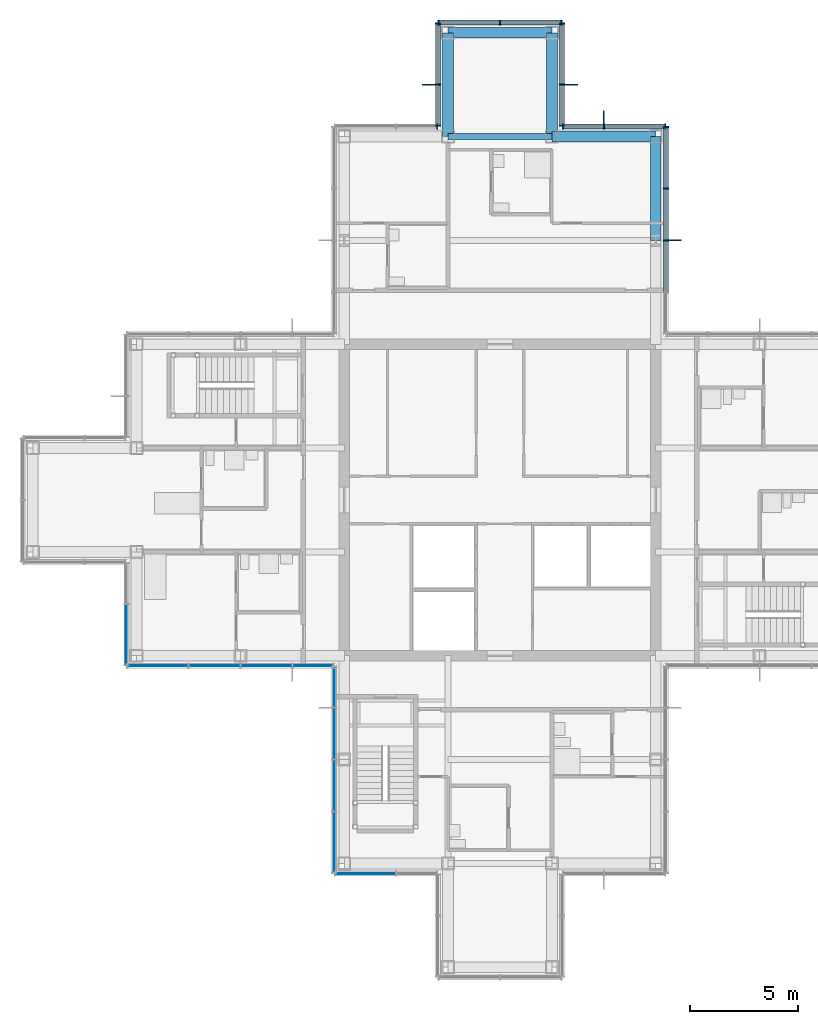
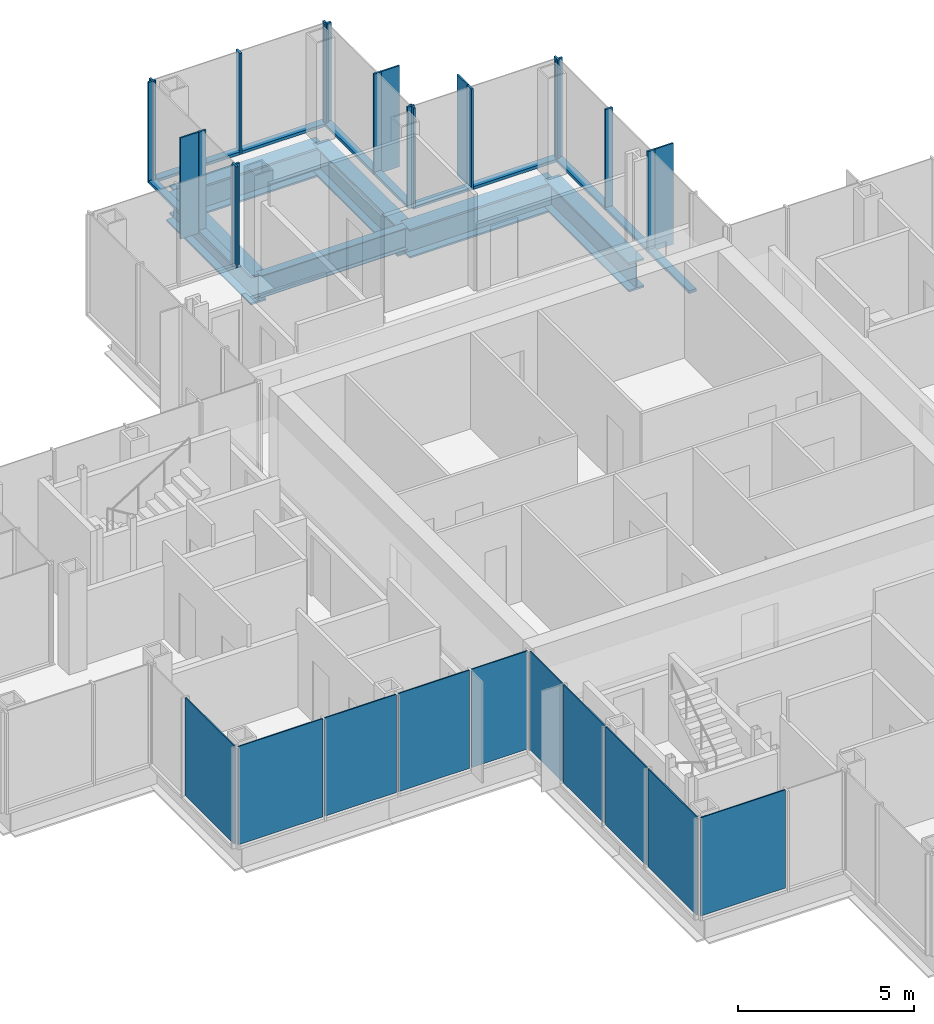
# One storey, part 9 of 17: 31 members, 10 plates, 6 beams, 10 elements without a shape of their own.
"""IFC4 building model written with IfcOpenShell, lengths in metres."""

from ifc_helpers import new_model, si_unit, direction, frame, origin, origin_2d, place, context, subcontext, project, spatial, rectangle, i_section, extrude, material, layer, layer_set, material_profile, profile_set, type_object, element, aggregate, save


model = new_model("IFC4")

# Units and contexts
model_context = context("Model", 3, precision=1e-05, world=origin(), true_north=direction((0.0, 1.0)))
body_context = subcontext(model_context, "Body", "Model", "MODEL_VIEW")
ifc_project = project(units=[si_unit("LENGTHUNIT", "METRE"), si_unit("AREAUNIT", "SQUARE_METRE"), si_unit("VOLUMEUNIT", "CUBIC_METRE"), si_unit("PLANEANGLEUNIT", "RADIAN"), si_unit("MASSUNIT", "GRAM", prefix="KILO")], contexts=[model_context])

# Site, building, storey
site_placement = place(None, origin())
site = spatial("IfcSite", under=ifc_project, at=site_placement, CompositionType="ELEMENT")
building_placement = place(site_placement, origin())
building = spatial("IfcBuilding", under=site, at=building_placement, Name="Kvirike Care Tower", CompositionType="ELEMENT")
storey_placement = place(building_placement, frame((0.0, 0.0, 169.0)))
storey = spatial("IfcBuildingStorey", under=building, at=storey_placement, Name="L46", CompositionType="ELEMENT", Elevation=169.0)

# Curtain wall, member
ifc_material_1 = material(Name="Anodised aluminium stick system", Category="aluminium")
curtain_wall_type = type_object("IfcCurtainWallType", Name="CW-C STICK CURTAIN WALL", PredefinedType="NOTDEFINED", material=ifc_material_1)
curtain_wall_1_placement = place(storey_placement, origin())
curtain_wall_1 = element("IfcCurtainWall", 1, at=curtain_wall_1_placement, inside=storey, type_object=curtain_wall_type, Name="Curtain wall L46 face 8", PredefinedType="NOTDEFINED")
ifc_material_2 = material(Name="Bronze anodised aluminium fin", Category="aluminium")
ifc_material_profile_1 = material_profile(ifc_material_2, rectangle(XDim=0.050048828125, YDim=0.60009765625, at=origin_2d()), Name="BRONZE FIN 600")
ifc_profile_set_1 = profile_set([ifc_material_profile_1], Name="Bronze anodised aluminium fin")
member_type_1 = type_object("IfcMemberType", Name="BRONZE FIN 600", PredefinedType="USERDEFINED", material=ifc_profile_set_1)
member_1_placement = place(storey_placement, frame((29.68994140625, 48.0, 0.0), z_axis=(0.0, 0.0, 1.0), x_axis=(0.0, 1.0, 0.0)))
member_1 = element("IfcMember", 2, at=member_1_placement, type_object=member_type_1, Name="Bronze fin L46 face 8.3", ObjectType="FIN", PredefinedType="USERDEFINED", context=body_context, shape_type="SweptSolid", body=[
    extrude(rectangle(XDim=0.050048828125, YDim=0.60009765625, at=origin_2d()), origin(), (0.0, 0.0, 1.0), 3.5),
])

curtain_wall_2_placement = place(storey_placement, origin())
curtain_wall_2 = element("IfcCurtainWall", 3, at=curtain_wall_2_placement, inside=storey, type_object=curtain_wall_type, Name="Curtain wall L46 face 9", PredefinedType="NOTDEFINED")
member_2_placement = place(storey_placement, frame((26.39990234375, 53.68994140625, 0.0), z_axis=(0.0, 0.0, 1.0), x_axis=(-1.0, 0.0, 0.0)))
member_2 = element("IfcMember", 4, at=member_2_placement, type_object=member_type_1, Name="Bronze fin L46 face 9.2", ObjectType="FIN", PredefinedType="USERDEFINED", context=body_context, shape_type="SweptSolid", body=[
    extrude(rectangle(XDim=0.050048828125, YDim=0.60009765625, at=origin_2d()), origin(), (0.0, 0.0, 1.0), 3.5),
])

curtain_wall_3_placement = place(storey_placement, origin())
curtain_wall_3 = element("IfcCurtainWall", 5, at=curtain_wall_3_placement, inside=storey, type_object=curtain_wall_type, Name="Curtain wall L46 face 10", PredefinedType="NOTDEFINED")
member_3_placement = place(storey_placement, frame((24.889892578125, 55.199951171875, 0.0), z_axis=(0.0, 0.0, 1.0), x_axis=(0.0, 1.0, 0.0)))
member_3 = element("IfcMember", 6, at=member_3_placement, type_object=member_type_1, Name="Bronze fin L46 face 10.2", ObjectType="FIN", PredefinedType="USERDEFINED", context=body_context, shape_type="SweptSolid", body=[
    extrude(rectangle(XDim=0.050048828125, YDim=0.60009765625, at=origin_2d()), origin(), (0.0, 0.0, 1.0), 3.5),
])

curtain_wall_4_placement = place(storey_placement, origin())
curtain_wall_4 = element("IfcCurtainWall", 7, at=curtain_wall_4_placement, inside=storey, type_object=curtain_wall_type, Name="Curtain wall L46 face 12", PredefinedType="NOTDEFINED")
member_4_placement = place(storey_placement, frame((18.31005859375, 55.199951171875, 0.0), z_axis=(0.0, 0.0, 1.0), x_axis=(0.0, -1.0, 0.0)))
member_4 = element("IfcMember", 8, at=member_4_placement, type_object=member_type_1, Name="Bronze fin L46 face 12.2", ObjectType="FIN", PredefinedType="USERDEFINED", context=body_context, shape_type="SweptSolid", body=[
    extrude(rectangle(XDim=0.050048828125, YDim=0.60009765625, at=origin_2d()), origin(), (0.0, 0.0, 1.0), 3.5),
])

# Member
ifc_material_3 = material(Name="Bronze anodised aluminium mullion", Category="aluminium")
ifc_material_profile_2 = material_profile(ifc_material_3, rectangle(XDim=0.06494140625, YDim=0.239990234375, at=origin_2d()), Name="CW-C MULLION 65x240")
ifc_profile_set_2 = profile_set([ifc_material_profile_2], Name="Bronze anodised aluminium mullion")
member_type_2 = type_object("IfcMemberType", Name="CW-C MULLION 65x240", PredefinedType="MULLION", material=ifc_profile_set_2)
member_5_placement = place(storey_placement, frame((29.27001953125, 48.0, 0.0), z_axis=(0.0, 0.0, 1.0), x_axis=(0.0, 1.0, 0.0)))
member_5 = element("IfcMember", 9, at=member_5_placement, type_object=member_type_2, Name="CW-C mullion L46 face 8.3", PredefinedType="MULLION", context=body_context, shape_type="SweptSolid", body=[
    extrude(rectangle(XDim=0.06494140625, YDim=0.239990234375, at=origin_2d()), origin(), (0.0, 0.0, 1.0), 3.5),
])

member_6_placement = place(storey_placement, frame((29.27001953125, 50.39990234375, 0.0), z_axis=(0.0, 0.0, 1.0), x_axis=(0.0, 1.0, 0.0)))
member_6 = element("IfcMember", 10, at=member_6_placement, type_object=member_type_2, Name="CW-C mullion L46 face 8.4", PredefinedType="MULLION", context=body_context, shape_type="SweptSolid", body=[
    extrude(rectangle(XDim=0.06494140625, YDim=0.239990234375, at=origin_2d()), origin(), (0.0, 0.0, 1.0), 3.5),
])

member_7_placement = place(storey_placement, frame((29.27001953125, 53.237548828125, 0.0), z_axis=(0.0, 0.0, 1.0), x_axis=(0.0, 1.0, 0.0)))
member_7 = element("IfcMember", 11, at=member_7_placement, type_object=member_type_2, Name="CW-C mullion L46 face 8.5", PredefinedType="MULLION", context=body_context, shape_type="SweptSolid", body=[
    extrude(rectangle(XDim=0.06494140625, YDim=0.239990234375, at=origin_2d()), origin(), (0.0, 0.0, 1.0), 3.5),
])

member_8_placement = place(storey_placement, frame((29.237548828125, 53.27001953125, 0.0), z_axis=(0.0, 0.0, 1.0), x_axis=(-1.0, 0.0, 0.0)))
member_8 = element("IfcMember", 12, at=member_8_placement, type_object=member_type_2, Name="CW-C mullion L46 face 9.1", PredefinedType="MULLION", context=body_context, shape_type="SweptSolid", body=[
    extrude(rectangle(XDim=0.06494140625, YDim=0.239990234375, at=origin_2d()), origin(), (0.0, 0.0, 1.0), 3.5),
])

member_9_placement = place(storey_placement, frame((26.39990234375, 53.27001953125, 0.0), z_axis=(0.0, 0.0, 1.0), x_axis=(-1.0, 0.0, 0.0)))
member_9 = element("IfcMember", 13, at=member_9_placement, type_object=member_type_2, Name="CW-C mullion L46 face 9.2", PredefinedType="MULLION", context=body_context, shape_type="SweptSolid", body=[
    extrude(rectangle(XDim=0.06494140625, YDim=0.239990234375, at=origin_2d()), origin(), (0.0, 0.0, 1.0), 3.5),
])

member_10_placement = place(storey_placement, frame((24.50244140625, 53.27001953125, 0.0), z_axis=(0.0, 0.0, 1.0), x_axis=(-1.0, 0.0, 0.0)))
member_10 = element("IfcMember", 14, at=member_10_placement, type_object=member_type_2, Name="CW-C mullion L46 face 9.3", PredefinedType="MULLION", context=body_context, shape_type="SweptSolid", body=[
    extrude(rectangle(XDim=0.06494140625, YDim=0.239990234375, at=origin_2d()), origin(), (0.0, 0.0, 1.0), 3.5),
])

member_11_placement = place(storey_placement, frame((24.469970703125, 53.302490234375, 0.0), z_axis=(0.0, 0.0, 1.0), x_axis=(0.0, 1.0, 0.0)))
member_11 = element("IfcMember", 15, at=member_11_placement, type_object=member_type_2, Name="CW-C mullion L46 face 10.1", PredefinedType="MULLION", context=body_context, shape_type="SweptSolid", body=[
    extrude(rectangle(XDim=0.06494140625, YDim=0.239990234375, at=origin_2d()), origin(), (0.0, 0.0, 1.0), 3.5),
])

member_12_placement = place(storey_placement, frame((24.469970703125, 55.199951171875, 0.0), z_axis=(0.0, 0.0, 1.0), x_axis=(0.0, 1.0, 0.0)))
member_12 = element("IfcMember", 16, at=member_12_placement, type_object=member_type_2, Name="CW-C mullion L46 face 10.2", PredefinedType="MULLION", context=body_context, shape_type="SweptSolid", body=[
    extrude(rectangle(XDim=0.06494140625, YDim=0.239990234375, at=origin_2d()), origin(), (0.0, 0.0, 1.0), 3.5),
])

member_13_placement = place(storey_placement, frame((24.469970703125, 58.03759765625, 0.0), z_axis=(0.0, 0.0, 1.0), x_axis=(0.0, 1.0, 0.0)))
member_13 = element("IfcMember", 17, at=member_13_placement, type_object=member_type_2, Name="CW-C mullion L46 face 10.3", PredefinedType="MULLION", context=body_context, shape_type="SweptSolid", body=[
    extrude(rectangle(XDim=0.06494140625, YDim=0.239990234375, at=origin_2d()), origin(), (0.0, 0.0, 1.0), 3.5),
])

# Curtain wall, members
curtain_wall_5_placement = place(storey_placement, origin())
curtain_wall_5 = element("IfcCurtainWall", 18, at=curtain_wall_5_placement, inside=storey, type_object=curtain_wall_type, Name="Curtain wall L46 face 11", PredefinedType="NOTDEFINED")
member_14_placement = place(storey_placement, frame((24.4375, 58.070068359375, 0.0), z_axis=(0.0, 0.0, 1.0), x_axis=(-1.0, 0.0, 0.0)))
member_14 = element("IfcMember", 19, at=member_14_placement, type_object=member_type_2, Name="CW-C mullion L46 face 11.1", PredefinedType="MULLION", context=body_context, shape_type="SweptSolid", body=[
    extrude(rectangle(XDim=0.06494140625, YDim=0.239990234375, at=origin_2d()), origin(), (0.0, 0.0, 1.0), 3.5),
])
member_15_placement = place(storey_placement, frame((21.60009765625, 58.070068359375, 0.0), z_axis=(0.0, 0.0, 1.0), x_axis=(-1.0, 0.0, 0.0)))
member_15 = element("IfcMember", 20, at=member_15_placement, type_object=member_type_2, Name="CW-C mullion L46 face 11.2", PredefinedType="MULLION", context=body_context, shape_type="SweptSolid", body=[
    extrude(rectangle(XDim=0.06494140625, YDim=0.239990234375, at=origin_2d()), origin(), (0.0, 0.0, 1.0), 3.5),
])
member_16_placement = place(storey_placement, frame((18.762451171875, 58.070068359375, 0.0), z_axis=(0.0, 0.0, 1.0), x_axis=(-1.0, 0.0, 0.0)))
member_16 = element("IfcMember", 21, at=member_16_placement, type_object=member_type_2, Name="CW-C mullion L46 face 11.3", PredefinedType="MULLION", context=body_context, shape_type="SweptSolid", body=[
    extrude(rectangle(XDim=0.06494140625, YDim=0.239990234375, at=origin_2d()), origin(), (0.0, 0.0, 1.0), 3.5),
])

# Member
member_17_placement = place(storey_placement, frame((18.72998046875, 58.03759765625, 0.0), z_axis=(0.0, 0.0, 1.0), x_axis=(0.0, -1.0, 0.0)))
member_17 = element("IfcMember", 22, at=member_17_placement, type_object=member_type_2, Name="CW-C mullion L46 face 12.1", PredefinedType="MULLION", context=body_context, shape_type="SweptSolid", body=[
    extrude(rectangle(XDim=0.06494140625, YDim=0.239990234375, at=origin_2d()), origin(), (0.0, 0.0, 1.0), 3.5),
])

member_18_placement = place(storey_placement, frame((18.72998046875, 55.199951171875, 0.0), z_axis=(0.0, 0.0, 1.0), x_axis=(0.0, -1.0, 0.0)))
member_18 = element("IfcMember", 23, at=member_18_placement, type_object=member_type_2, Name="CW-C mullion L46 face 12.2", PredefinedType="MULLION", context=body_context, shape_type="SweptSolid", body=[
    extrude(rectangle(XDim=0.06494140625, YDim=0.239990234375, at=origin_2d()), origin(), (0.0, 0.0, 1.0), 3.5),
])

member_19_placement = place(storey_placement, frame((18.72998046875, 53.302490234375, 0.0), z_axis=(0.0, 0.0, 1.0), x_axis=(0.0, -1.0, 0.0)))
member_19 = element("IfcMember", 24, at=member_19_placement, type_object=member_type_2, Name="CW-C mullion L46 face 12.3", PredefinedType="MULLION", context=body_context, shape_type="SweptSolid", body=[
    extrude(rectangle(XDim=0.06494140625, YDim=0.239990234375, at=origin_2d()), origin(), (0.0, 0.0, 1.0), 3.5),
])

# Curtain wall, member
curtain_wall_6_placement = place(storey_placement, origin())
curtain_wall_6 = element("IfcCurtainWall", 25, at=curtain_wall_6_placement, inside=storey, type_object=curtain_wall_type, Name="Curtain wall L46 face 13", PredefinedType="NOTDEFINED")
member_20_placement = place(storey_placement, frame((18.697509765625, 53.27001953125, 0.0), z_axis=(0.0, 0.0, 1.0), x_axis=(-1.0, 0.0, 0.0)))
member_20 = element("IfcMember", 26, at=member_20_placement, type_object=member_type_2, Name="CW-C mullion L46 face 13.1", PredefinedType="MULLION", context=body_context, shape_type="SweptSolid", body=[
    extrude(rectangle(XDim=0.06494140625, YDim=0.239990234375, at=origin_2d()), origin(), (0.0, 0.0, 1.0), 3.5),
])
aggregate(curtain_wall_6, [member_20])

# Member
ifc_material_4 = material(Name="Bronze anodised aluminium transom", Category="aluminium")
ifc_material_profile_3 = material_profile(ifc_material_4, rectangle(XDim=0.239990234375, YDim=0.10009765625, at=origin_2d()), Name="CW-C TRANSOM 240x100")
ifc_profile_set_3 = profile_set([ifc_material_profile_3], Name="Bronze anodised aluminium transom")
member_type_3 = type_object("IfcMemberType", Name="CW-C TRANSOM 240x100", PredefinedType="USERDEFINED", material=ifc_profile_set_3)
member_21_placement = place(storey_placement, frame((29.27001953125, 45.632568359375, 0.050048828125), z_axis=(0.0, 1.0, 0.0), x_axis=(-1.0, 0.0, 0.0)))
member_21 = element("IfcMember", 27, at=member_21_placement, type_object=member_type_3, Name="CW-C sill transom L46 face 8.2", ObjectType="TRANSOM", PredefinedType="USERDEFINED", context=body_context, shape_type="SweptSolid", body=[
    extrude(rectangle(XDim=0.239990234375, YDim=0.10009765625, at=origin_2d()), origin(), (0.0, 0.0, 1.0), 2.3349609375),
])

member_22_placement = place(storey_placement, frame((29.27001953125, 48.032470703125, 0.050048828125), z_axis=(0.0, 1.0, 0.0), x_axis=(-1.0, 0.0, 0.0)))
member_22 = element("IfcMember", 28, at=member_22_placement, type_object=member_type_3, Name="CW-C sill transom L46 face 8.3", ObjectType="TRANSOM", PredefinedType="USERDEFINED", context=body_context, shape_type="SweptSolid", body=[
    extrude(rectangle(XDim=0.239990234375, YDim=0.10009765625, at=origin_2d()), origin(), (0.0, 0.0, 1.0), 2.3349609375),
])

member_23_placement = place(storey_placement, frame((29.27001953125, 50.4326171875, 0.050048828125), z_axis=(0.0, 1.0, 0.0), x_axis=(-1.0, 0.0, 0.0)))
member_23 = element("IfcMember", 29, at=member_23_placement, type_object=member_type_3, Name="CW-C sill transom L46 face 8.4", ObjectType="TRANSOM", PredefinedType="USERDEFINED", context=body_context, shape_type="SweptSolid", body=[
    extrude(rectangle(XDim=0.239990234375, YDim=0.10009765625, at=origin_2d()), origin(), (0.0, 0.0, 1.0), 2.7724609375),
])

aggregate(curtain_wall_1, [member_5, member_1, member_6, member_7, member_21, member_22, member_23])

member_24_placement = place(storey_placement, frame((29.205078125, 53.27001953125, 0.050048828125), z_axis=(-1.0, 0.0, 0.0), x_axis=(0.0, -1.0, 0.0)))
member_24 = element("IfcMember", 30, at=member_24_placement, type_object=member_type_3, Name="CW-C sill transom L46 face 9.1", ObjectType="TRANSOM", PredefinedType="USERDEFINED", context=body_context, shape_type="SweptSolid", body=[
    extrude(rectangle(XDim=0.239990234375, YDim=0.10009765625, at=origin_2d()), origin(), (0.0, 0.0, 1.0), 2.7724609375),
])

member_25_placement = place(storey_placement, frame((26.367431640625, 53.27001953125, 0.050048828125), z_axis=(-1.0, 0.0, 0.0), x_axis=(0.0, -1.0, 0.0)))
member_25 = element("IfcMember", 31, at=member_25_placement, type_object=member_type_3, Name="CW-C sill transom L46 face 9.2", ObjectType="TRANSOM", PredefinedType="USERDEFINED", context=body_context, shape_type="SweptSolid", body=[
    extrude(rectangle(XDim=0.239990234375, YDim=0.10009765625, at=origin_2d()), origin(), (0.0, 0.0, 1.0), 1.83251953125),
])

aggregate(curtain_wall_2, [member_8, member_9, member_2, member_10, member_24, member_25])

member_26_placement = place(storey_placement, frame((24.469970703125, 53.3349609375, 0.050048828125), z_axis=(0.0, 1.0, 0.0), x_axis=(-1.0, 0.0, 0.0)))
member_26 = element("IfcMember", 32, at=member_26_placement, type_object=member_type_3, Name="CW-C sill transom L46 face 10.1", ObjectType="TRANSOM", PredefinedType="USERDEFINED", context=body_context, shape_type="SweptSolid", body=[
    extrude(rectangle(XDim=0.239990234375, YDim=0.10009765625, at=origin_2d()), origin(), (0.0, 0.0, 1.0), 1.83251953125),
])

member_27_placement = place(storey_placement, frame((24.469970703125, 55.232421875, 0.050048828125), z_axis=(0.0, 1.0, 0.0), x_axis=(-1.0, 0.0, 0.0)))
member_27 = element("IfcMember", 33, at=member_27_placement, type_object=member_type_3, Name="CW-C sill transom L46 face 10.2", ObjectType="TRANSOM", PredefinedType="USERDEFINED", context=body_context, shape_type="SweptSolid", body=[
    extrude(rectangle(XDim=0.239990234375, YDim=0.10009765625, at=origin_2d()), origin(), (0.0, 0.0, 1.0), 2.7724609375),
])

aggregate(curtain_wall_3, [member_11, member_12, member_3, member_13, member_26, member_27])

member_28_placement = place(storey_placement, frame((24.405029296875, 58.070068359375, 0.050048828125), z_axis=(-1.0, 0.0, 0.0), x_axis=(0.0, -1.0, 0.0)))
member_28 = element("IfcMember", 34, at=member_28_placement, type_object=member_type_3, Name="CW-C sill transom L46 face 11.1", ObjectType="TRANSOM", PredefinedType="USERDEFINED", context=body_context, shape_type="SweptSolid", body=[
    extrude(rectangle(XDim=0.239990234375, YDim=0.10009765625, at=origin_2d()), origin(), (0.0, 0.0, 1.0), 2.7724609375),
])

member_29_placement = place(storey_placement, frame((21.5673828125, 58.070068359375, 0.050048828125), z_axis=(-1.0, 0.0, 0.0), x_axis=(0.0, -1.0, 0.0)))
member_29 = element("IfcMember", 35, at=member_29_placement, type_object=member_type_3, Name="CW-C sill transom L46 face 11.2", ObjectType="TRANSOM", PredefinedType="USERDEFINED", context=body_context, shape_type="SweptSolid", body=[
    extrude(rectangle(XDim=0.239990234375, YDim=0.10009765625, at=origin_2d()), origin(), (0.0, 0.0, 1.0), 2.7724609375),
])

aggregate(curtain_wall_5, [member_14, member_15, member_16, member_28, member_29])

member_30_placement = place(storey_placement, frame((18.72998046875, 58.0048828125, 0.050048828125), z_axis=(0.0, -1.0, 0.0), x_axis=(1.0, 0.0, 0.0)))
member_30 = element("IfcMember", 36, at=member_30_placement, type_object=member_type_3, Name="CW-C sill transom L46 face 12.1", ObjectType="TRANSOM", PredefinedType="USERDEFINED", context=body_context, shape_type="SweptSolid", body=[
    extrude(rectangle(XDim=0.239990234375, YDim=0.10009765625, at=origin_2d()), origin(), (0.0, 0.0, 1.0), 2.7724609375),
])

member_31_placement = place(storey_placement, frame((18.72998046875, 55.16748046875, 0.050048828125), z_axis=(0.0, -1.0, 0.0), x_axis=(1.0, 0.0, 0.0)))
member_31 = element("IfcMember", 37, at=member_31_placement, type_object=member_type_3, Name="CW-C sill transom L46 face 12.2", ObjectType="TRANSOM", PredefinedType="USERDEFINED", context=body_context, shape_type="SweptSolid", body=[
    extrude(rectangle(XDim=0.239990234375, YDim=0.10009765625, at=origin_2d()), origin(), (0.0, 0.0, 1.0), 1.83251953125),
])

aggregate(curtain_wall_4, [member_17, member_18, member_4, member_19, member_30, member_31])

# Beams
ifc_material_5 = material(Name="Steel S355", Category="steel")
ifc_material_profile_4 = material_profile(ifc_material_5, i_section(OverallWidth=0.26806640625, OverallDepth=0.77001953125, WebThickness=0.015625, FlangeThickness=0.025390625, FilletRadius=0.01708984375, at=origin_2d()), Name="IPE 750x196")
ifc_profile_set_4 = profile_set([ifc_material_profile_4], Name="Steel S355")
beam_type_1 = type_object("IfcBeamType", Name="FLOOR BEAM IPE 750x196", PredefinedType="BEAM", material=ifc_profile_set_4)
beam_placement = place(storey_placement, frame((19.199951171875, 52.800048828125, -0.554931640625), z_axis=(1.0, 0.0, 0.0), x_axis=(0.0, 1.0, 0.0)))
element("IfcBeam", 38, at=beam_placement, inside=storey, type_object=beam_type_1, Name="Floor Beam M7-M8 L46", PredefinedType="BEAM", context=body_context, shape_type="SweptSolid", body=[
    extrude(i_section(OverallWidth=0.26806640625, OverallDepth=0.77001953125, WebThickness=0.015625, FlangeThickness=0.025390625, FilletRadius=0.01708984375, at=origin_2d()), origin(), (0.0, 0.0, 1.0), 4.800048828125),
])
ifc_material_6 = material(Name="Steel S355", Category="steel")
ifc_material_profile_5 = material_profile(ifc_material_6, i_section(OverallWidth=0.5, OverallDepth=1.0, WebThickness=0.030029296875, FlangeThickness=0.06005859375, at=origin_2d()), Name="PG 1000x500x30x60")
ifc_profile_set_5 = profile_set([ifc_material_profile_5], Name="Steel S355")
beam_type_2 = type_object("IfcBeamType", Name="SPANDREL PG 1000x500x30x60", PredefinedType="SPANDREL", material=ifc_profile_set_5)
for number, where, z_axis, x_axis, name in (
    (39, (24.0, 52.800048828125, -0.669921875), (1.0, 0.0, 0.0), (0.0, 1.0, 0.0), "Spandrel M8-M9 L46"),
    (40, (19.199951171875, 57.60009765625, -0.669921875), (1.0, 0.0, 0.0), (0.0, 1.0, 0.0), "Spandrel N7-N8 L46"),
    (41, (19.199951171875, 52.800048828125, -0.669921875), (0.0, 1.0, 0.0), (-1.0, 0.0, 0.0), "Spandrel M7-N7 L46"),
    (42, (24.0, 52.800048828125, -0.669921875), (0.0, 1.0, 0.0), (-1.0, 0.0, 0.0), "Spandrel M8-N8 L46"),
    (43, (28.800048828125, 48.0, -0.669921875), (0.0, 1.0, 0.0), (-1.0, 0.0, 0.0), "Spandrel L9-M9 L46"),
):
    element("IfcBeam", number, at=place(storey_placement, frame(where, z_axis=z_axis, x_axis=x_axis)), inside=storey, type_object=beam_type_2, Name=name, PredefinedType="SPANDREL", context=body_context, shape_type="SweptSolid", body=[
        extrude(i_section(OverallWidth=0.5, OverallDepth=1.0, WebThickness=0.030029296875, FlangeThickness=0.06005859375, at=origin_2d()), origin(), (0.0, 0.0, 1.0), 4.800048828125),
    ])

# Curtain wall, plate
curtain_wall_7_placement = place(storey_placement, origin())
curtain_wall_7 = element("IfcCurtainWall", 44, at=curtain_wall_7_placement, inside=storey, type_object=curtain_wall_type, Name="Curtain wall L46 face 20", PredefinedType="NOTDEFINED")
ifc_material_7 = material(Name="Tinted double glazed unit", Category="glass")
ifc_layer = layer(ifc_material_7, 0.0400390625)
ifc_layer_set = layer_set([ifc_layer], Name="TINTED VISION PANEL 40")
plate_type = type_object("IfcPlateType", Name="TINTED VISION PANEL 40", PredefinedType="CURTAIN_PANEL", material=ifc_layer_set)
plate_1_placement = place(storey_placement, frame((4.330078125, 29.78125, 0.10009765625), z_axis=(0.0, 0.0, 1.0), x_axis=(0.0, -1.0, 0.0)))
plate_1 = element("IfcPlate", 45, at=plate_1_placement, type_object=plate_type, Name="CW-C panel L46 face 20.2", PredefinedType="CURTAIN_PANEL", context=body_context, shape_type="SweptSolid", body=[
    extrude(rectangle(XDim=2.7724609375, YDim=0.0400390625, at=origin_2d()), origin(), (0.0, 0.0, 1.0), 3.39990234375),
])
aggregate(curtain_wall_7, [plate_1])

# Curtain wall, plates
curtain_wall_8_placement = place(storey_placement, origin())
curtain_wall_8 = element("IfcCurtainWall", 46, at=curtain_wall_8_placement, inside=storey, type_object=curtain_wall_type, Name="Curtain wall L46 face 21", PredefinedType="NOTDEFINED")
plate_2_placement = place(storey_placement, frame((5.78125, 28.330078125, 0.10009765625), z_axis=(0.0, 0.0, 1.0), x_axis=(1.0, 0.0, 0.0)))
plate_2 = element("IfcPlate", 47, at=plate_2_placement, type_object=plate_type, Name="CW-C panel L46 face 21.1", PredefinedType="CURTAIN_PANEL", context=body_context, shape_type="SweptSolid", body=[
    extrude(rectangle(XDim=2.7724609375, YDim=0.0400390625, at=origin_2d()), origin(), (0.0, 0.0, 1.0), 3.39990234375),
])
plate_3_placement = place(storey_placement, frame((8.39990234375, 28.330078125, 0.10009765625), z_axis=(0.0, 0.0, 1.0), x_axis=(1.0, 0.0, 0.0)))
plate_3 = element("IfcPlate", 48, at=plate_3_placement, type_object=plate_type, Name="CW-C panel L46 face 21.2", PredefinedType="CURTAIN_PANEL", context=body_context, shape_type="SweptSolid", body=[
    extrude(rectangle(XDim=2.3349609375, YDim=0.0400390625, at=origin_2d()), origin(), (0.0, 0.0, 1.0), 3.39990234375),
])
plate_4_placement = place(storey_placement, frame((10.800048828125, 28.330078125, 0.10009765625), z_axis=(0.0, 0.0, 1.0), x_axis=(1.0, 0.0, 0.0)))
plate_4 = element("IfcPlate", 49, at=plate_4_placement, type_object=plate_type, Name="CW-C panel L46 face 21.3", PredefinedType="CURTAIN_PANEL", context=body_context, shape_type="SweptSolid", body=[
    extrude(rectangle(XDim=2.3349609375, YDim=0.0400390625, at=origin_2d()), origin(), (0.0, 0.0, 1.0), 3.39990234375),
])
plate_5_placement = place(storey_placement, frame((12.94873046875, 28.330078125, 0.10009765625), z_axis=(0.0, 0.0, 1.0), x_axis=(1.0, 0.0, 0.0)))
plate_5 = element("IfcPlate", 50, at=plate_5_placement, type_object=plate_type, Name="CW-C panel L46 face 21.4", PredefinedType="CURTAIN_PANEL", context=body_context, shape_type="SweptSolid", body=[
    extrude(rectangle(XDim=1.83251953125, YDim=0.0400390625, at=origin_2d()), origin(), (0.0, 0.0, 1.0), 3.39990234375),
])
aggregate(curtain_wall_8, [plate_2, plate_3, plate_4, plate_5])

curtain_wall_9_placement = place(storey_placement, origin())
curtain_wall_9 = element("IfcCurtainWall", 51, at=curtain_wall_9_placement, inside=storey, type_object=curtain_wall_type, Name="Curtain wall L46 face 22", PredefinedType="NOTDEFINED")
plate_6_placement = place(storey_placement, frame((13.929931640625, 27.3486328125, 0.10009765625), z_axis=(0.0, 0.0, 1.0), x_axis=(0.0, -1.0, 0.0)))
plate_6 = element("IfcPlate", 52, at=plate_6_placement, type_object=plate_type, Name="CW-C panel L46 face 22.1", PredefinedType="CURTAIN_PANEL", context=body_context, shape_type="SweptSolid", body=[
    extrude(rectangle(XDim=1.83251953125, YDim=0.0400390625, at=origin_2d()), origin(), (0.0, 0.0, 1.0), 3.39990234375),
])
plate_7_placement = place(storey_placement, frame((13.929931640625, 25.199951171875, 0.10009765625), z_axis=(0.0, 0.0, 1.0), x_axis=(0.0, -1.0, 0.0)))
plate_7 = element("IfcPlate", 53, at=plate_7_placement, type_object=plate_type, Name="CW-C panel L46 face 22.2", PredefinedType="CURTAIN_PANEL", context=body_context, shape_type="SweptSolid", body=[
    extrude(rectangle(XDim=2.3349609375, YDim=0.0400390625, at=origin_2d()), origin(), (0.0, 0.0, 1.0), 3.39990234375),
])
plate_8_placement = place(storey_placement, frame((13.929931640625, 22.800048828125, 0.10009765625), z_axis=(0.0, 0.0, 1.0), x_axis=(0.0, -1.0, 0.0)))
plate_8 = element("IfcPlate", 54, at=plate_8_placement, type_object=plate_type, Name="CW-C panel L46 face 22.3", PredefinedType="CURTAIN_PANEL", context=body_context, shape_type="SweptSolid", body=[
    extrude(rectangle(XDim=2.3349609375, YDim=0.0400390625, at=origin_2d()), origin(), (0.0, 0.0, 1.0), 3.39990234375),
])
plate_9_placement = place(storey_placement, frame((13.929931640625, 20.18115234375, 0.10009765625), z_axis=(0.0, 0.0, 1.0), x_axis=(0.0, -1.0, 0.0)))
plate_9 = element("IfcPlate", 55, at=plate_9_placement, type_object=plate_type, Name="CW-C panel L46 face 22.4", PredefinedType="CURTAIN_PANEL", context=body_context, shape_type="SweptSolid", body=[
    extrude(rectangle(XDim=2.7724609375, YDim=0.0400390625, at=origin_2d()), origin(), (0.0, 0.0, 1.0), 3.39990234375),
])
aggregate(curtain_wall_9, [plate_6, plate_7, plate_8, plate_9])

# Curtain wall, plate
curtain_wall_10_placement = place(storey_placement, origin())
curtain_wall_10 = element("IfcCurtainWall", 56, at=curtain_wall_10_placement, inside=storey, type_object=curtain_wall_type, Name="Curtain wall L46 face 23", PredefinedType="NOTDEFINED")
plate_10_placement = place(storey_placement, frame((15.38134765625, 18.72998046875, 0.10009765625), z_axis=(0.0, 0.0, 1.0), x_axis=(1.0, 0.0, 0.0)))
plate_10 = element("IfcPlate", 57, at=plate_10_placement, type_object=plate_type, Name="CW-C panel L46 face 23.1", PredefinedType="CURTAIN_PANEL", context=body_context, shape_type="SweptSolid", body=[
    extrude(rectangle(XDim=2.7724609375, YDim=0.0400390625, at=origin_2d()), origin(), (0.0, 0.0, 1.0), 3.39990234375),
])
aggregate(curtain_wall_10, [plate_10])

save(model, "model.ifc")
